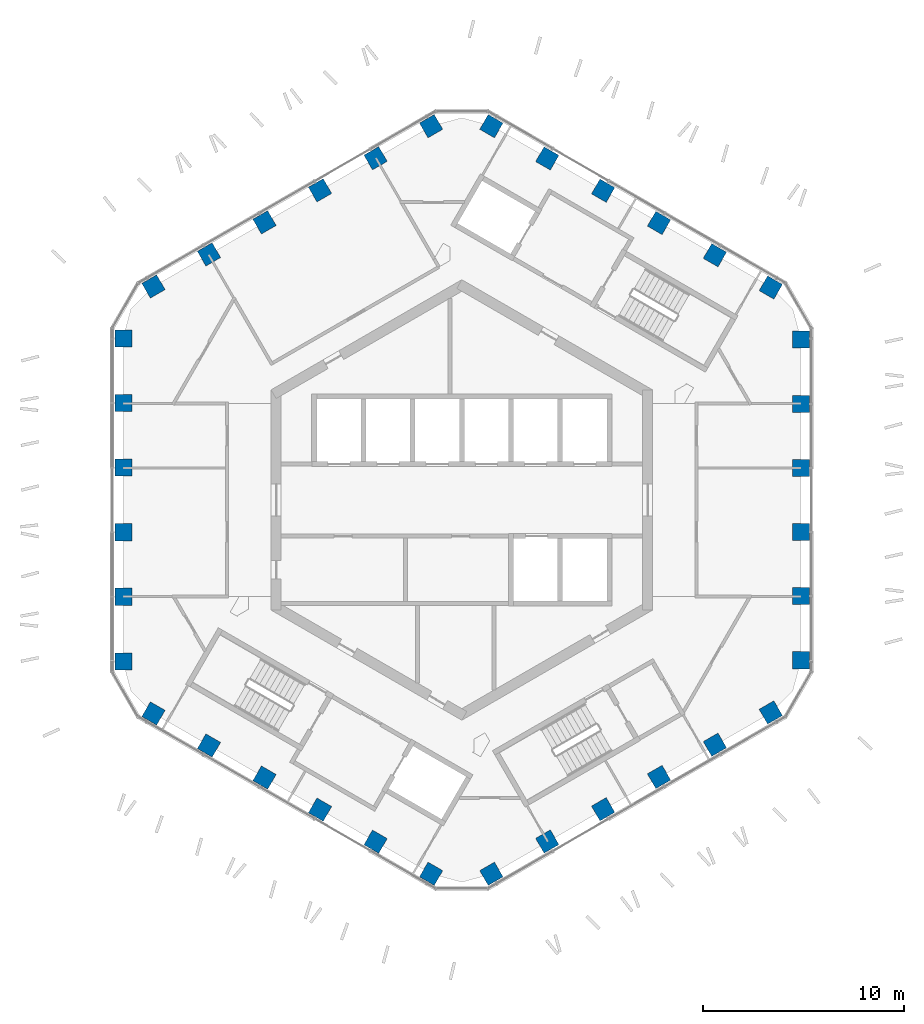
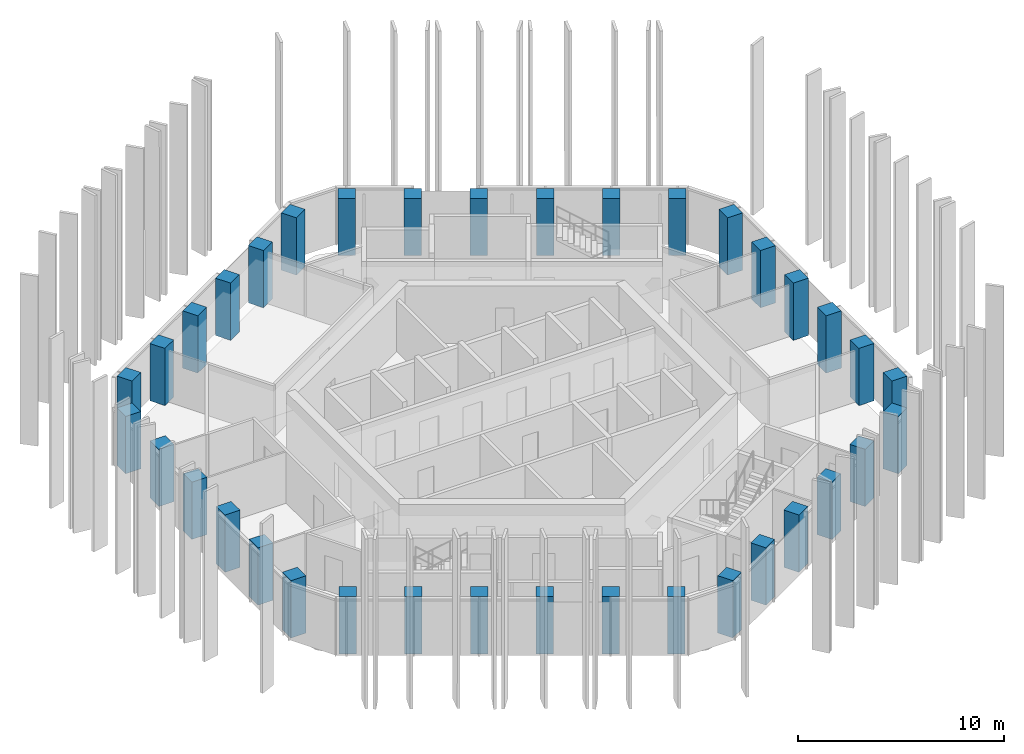
# One storey, part 1 of 18: 36 columns.
"""IFC4 building model written with IfcOpenShell, lengths in metres."""

from ifc_helpers import new_model, si_unit, direction, frame, origin, origin_2d, place, context, subcontext, project, spatial, rectangle, extrude, material, material_profile, profile_set, type_object, element, save


model = new_model("IFC4")

# Units and contexts
model_context = context("Model", 3, precision=1e-05, world=origin(), true_north=direction((0.0, 1.0)))
body_context = subcontext(model_context, "Body", "Model", "MODEL_VIEW")
ifc_project = project(units=[si_unit("LENGTHUNIT", "METRE"), si_unit("AREAUNIT", "SQUARE_METRE"), si_unit("VOLUMEUNIT", "CUBIC_METRE"), si_unit("PLANEANGLEUNIT", "RADIAN"), si_unit("MASSUNIT", "GRAM", prefix="KILO")], contexts=[model_context])

# Site, building, storey
site_placement = place(None, origin())
site = spatial("IfcSite", under=ifc_project, at=site_placement, CompositionType="ELEMENT")
building_placement = place(site_placement, origin())
building = spatial("IfcBuilding", under=site, at=building_placement, Name="Ayvan Gate Tower", CompositionType="ELEMENT")
storey_placement = place(building_placement, frame((0.0, 0.0, 218.89990234375)))
storey = spatial("IfcBuildingStorey", under=building, at=storey_placement, Name="L58", CompositionType="ELEMENT", Elevation=218.89990234375)

# Columns
ifc_material = material(Name="Concrete C50/60", Category="concrete")
ifc_material_profile = material_profile(ifc_material, rectangle(XDim=0.85009765625, YDim=0.85009765625, at=origin_2d()), Name="RC 850x850")
ifc_profile_set = profile_set([ifc_material_profile], Name="Concrete C50/60")
column_type = type_object("IfcColumnType", Name="Tube column RC 850x850 C50/60", PredefinedType="COLUMN", material=ifc_profile_set)
for number, where, z_axis, x_axis, name in (
    (1, (16.887451171875, -7.983642578125, 0.0), (0.0, 0.0, 1.0), (1.0, 0.0, 0.0), "C-T0-0-L58"),
    (2, (16.887451171875, -4.790283203125, 0.0), (0.0, 0.0, 1.0), (1.0, 0.0, 0.0), "C-T0-1-L58"),
    (3, (16.887451171875, -1.5966796875, 0.0), (0.0, 0.0, 1.0), (1.0, 0.0, 0.0), "C-T0-2-L58"),
    (4, (16.887451171875, 1.5966796875, 0.0), (0.0, 0.0, 1.0), (1.0, 0.0, 0.0), "C-T0-3-L58"),
    (5, (16.887451171875, 4.790283203125, 0.0), (0.0, 0.0, 1.0), (1.0, 0.0, 0.0), "C-T0-4-L58"),
    (6, (16.887451171875, 7.983642578125, 0.0), (0.0, 0.0, 1.0), (1.0, 0.0, 0.0), "C-T0-5-L58"),
    (7, (15.387451171875, 10.581787109375, 0.0), (0.0, 0.0, 1.0), (0.5, 0.866025403784, 0.0), "C-T1-0-L58"),
    (8, (12.60400390625, 12.188720703125, 0.0), (0.0, 0.0, 1.0), (0.5, 0.866025403784, 0.0), "C-T1-1-L58"),
    (9, (9.820556640625, 13.7958984375, 0.0), (0.0, 0.0, 1.0), (0.5, 0.866025403784, 0.0), "C-T1-2-L58"),
    (10, (7.037109375, 15.40283203125, 0.0), (0.0, 0.0, 1.0), (0.5, 0.866025403784, 0.0), "C-T1-3-L58"),
    (11, (4.253662109375, 17.009765625, 0.0), (0.0, 0.0, 1.0), (0.5, 0.866025403784, 0.0), "C-T1-4-L58"),
    (12, (1.47021484375, 18.616943359375, 0.0), (0.0, 0.0, 1.0), (0.5, 0.866025403784, 0.0), "C-T1-5-L58"),
    (13, (-1.52978515625, 18.616943359375, 0.0), (0.0, 0.0, 1.0), (-0.5, 0.866025403784, 0.0), "C-T2-0-L58"),
    (14, (-4.29541015625, 17.02001953125, 0.0), (0.0, 0.0, 1.0), (-0.5, 0.866025403784, 0.0), "C-T2-1-L58"),
    (15, (-7.06103515625, 15.42333984375, 0.0), (0.0, 0.0, 1.0), (-0.5, 0.866025403784, 0.0), "C-T2-2-L58"),
    (16, (-9.82666015625, 13.82666015625, 0.0), (0.0, 0.0, 1.0), (-0.5, 0.866025403784, 0.0), "C-T2-3-L58"),
    (17, (-12.59228515625, 12.22998046875, 0.0), (0.0, 0.0, 1.0), (-0.5, 0.866025403784, 0.0), "C-T2-4-L58"),
    (18, (-15.35791015625, 10.633056640625, 0.0), (0.0, 0.0, 1.0), (-0.5, 0.866025403784, 0.0), "C-T2-5-L58"),
    (19, (-16.85791015625, 8.03515625, 0.0), (0.0, 0.0, 1.0), (-1.0, 0.0, 0.0), "C-T3-0-L58"),
    (20, (-16.85791015625, 4.821044921875, 0.0), (0.0, 0.0, 1.0), (-1.0, 0.0, 0.0), "C-T3-1-L58"),
    (21, (-16.85791015625, 1.60693359375, 0.0), (0.0, 0.0, 1.0), (-1.0, 0.0, 0.0), "C-T3-2-L58"),
    (22, (-16.85791015625, -1.60693359375, 0.0), (0.0, 0.0, 1.0), (-1.0, 0.0, 0.0), "C-T3-3-L58"),
    (23, (-16.85791015625, -4.821044921875, 0.0), (0.0, 0.0, 1.0), (-1.0, 0.0, 0.0), "C-T3-4-L58"),
    (24, (-16.85791015625, -8.03515625, 0.0), (0.0, 0.0, 1.0), (-1.0, 0.0, 0.0), "C-T3-5-L58"),
    (25, (-15.35791015625, -10.633056640625, 0.0), (0.0, 0.0, 1.0), (-0.5, -0.866025403784, 0.0), "C-T4-0-L58"),
    (26, (-12.59228515625, -12.22998046875, 0.0), (0.0, 0.0, 1.0), (-0.5, -0.866025403784, 0.0), "C-T4-1-L58"),
    (27, (-9.82666015625, -13.82666015625, 0.0), (0.0, 0.0, 1.0), (-0.5, -0.866025403784, 0.0), "C-T4-2-L58"),
    (28, (-7.06103515625, -15.42333984375, 0.0), (0.0, 0.0, 1.0), (-0.5, -0.866025403784, 0.0), "C-T4-3-L58"),
    (29, (-4.29541015625, -17.02001953125, 0.0), (0.0, 0.0, 1.0), (-0.5, -0.866025403784, 0.0), "C-T4-4-L58"),
    (30, (-1.52978515625, -18.616943359375, 0.0), (0.0, 0.0, 1.0), (-0.5, -0.866025403784, 0.0), "C-T4-5-L58"),
    (31, (1.47021484375, -18.616943359375, 0.0), (0.0, 0.0, 1.0), (0.5, -0.866025403784, 0.0), "C-T5-0-L58"),
    (32, (4.253662109375, -17.009765625, 0.0), (0.0, 0.0, 1.0), (0.5, -0.866025403784, 0.0), "C-T5-1-L58"),
    (33, (7.037109375, -15.40283203125, 0.0), (0.0, 0.0, 1.0), (0.5, -0.866025403784, 0.0), "C-T5-2-L58"),
    (34, (9.820556640625, -13.7958984375, 0.0), (0.0, 0.0, 1.0), (0.5, -0.866025403784, 0.0), "C-T5-3-L58"),
    (35, (12.60400390625, -12.188720703125, 0.0), (0.0, 0.0, 1.0), (0.5, -0.866025403784, 0.0), "C-T5-4-L58"),
    (36, (15.387451171875, -10.581787109375, 0.0), (0.0, 0.0, 1.0), (0.5, -0.866025403784, 0.0), "C-T5-5-L58"),
):
    element("IfcColumn", number, at=place(storey_placement, frame(where, z_axis=z_axis, x_axis=x_axis)), inside=storey, type_object=column_type, Name=name, PredefinedType="COLUMN", context=body_context, shape_type="SweptSolid", body=[
        extrude(rectangle(XDim=0.85009765625, YDim=0.85009765625, at=origin_2d()), origin(), (0.0, 0.0, 1.0), 3.400146484375),
    ])

save(model, "model.ifc")
